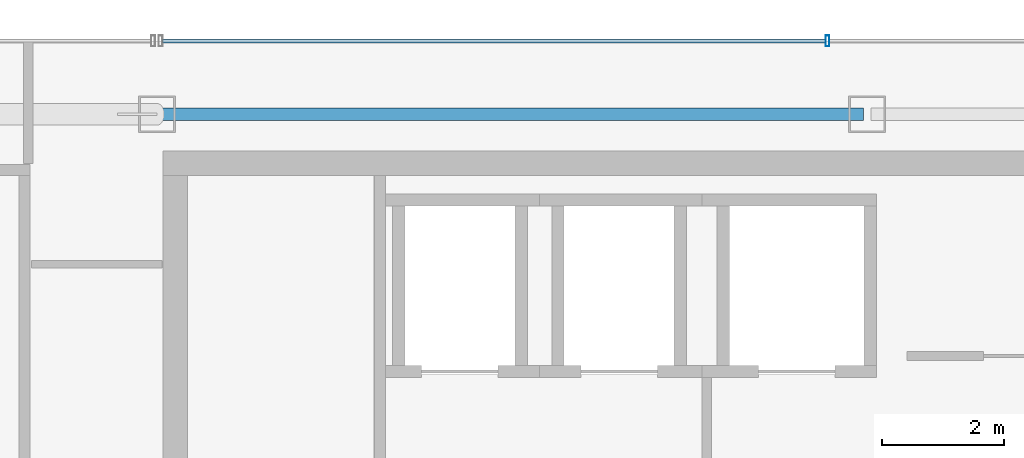
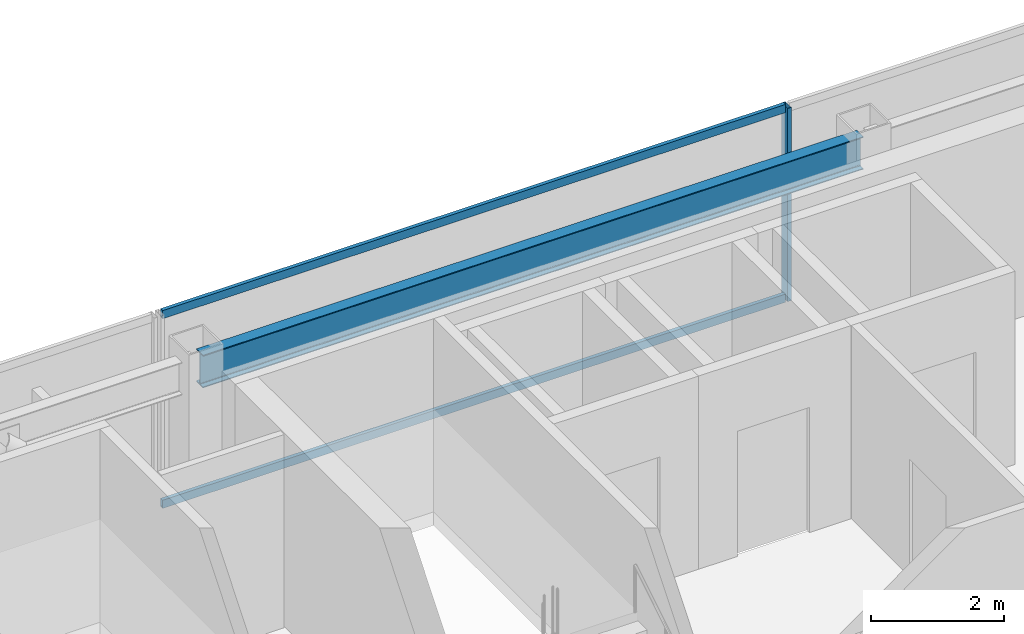
# One storey, part 21 of 32: 3 members, 1 beam, 1 element without a shape of its own.
"""IFC4 building model written with IfcOpenShell, lengths in metres."""

from ifc_helpers import new_model, si_unit, direction, frame, origin, origin_2d, place, context, subcontext, project, spatial, hollow_rectangle, i_section, extrude, material, material_profile, profile_set, type_object, element, aggregate, save


model = new_model("IFC4")

# Units and contexts
model_context = context("Model", 3, precision=1e-05, world=origin(), true_north=direction((0.0, 1.0)))
body_context = subcontext(model_context, "Body", "Model", "MODEL_VIEW")
ifc_project = project(units=[si_unit("LENGTHUNIT", "METRE"), si_unit("AREAUNIT", "SQUARE_METRE"), si_unit("VOLUMEUNIT", "CUBIC_METRE"), si_unit("PLANEANGLEUNIT", "RADIAN"), si_unit("MASSUNIT", "GRAM", prefix="KILO")], contexts=[model_context])

# Site, building, storey
site_placement = place(None, origin())
site = spatial("IfcSite", under=ifc_project, at=site_placement, CompositionType="ELEMENT")
building_placement = place(site_placement, origin())
building = spatial("IfcBuilding", under=site, at=building_placement, Name="Saevonmaru Cultural Tower", CompositionType="ELEMENT")
storey_placement = place(building_placement, frame((0.0, 0.0, 268.60009765625)))
storey = spatial("IfcBuildingStorey", under=building, at=storey_placement, Name="L63", CompositionType="ELEMENT", Elevation=268.60009765625)

# Beam
ifc_material_1 = material(Name="Steel SM355", Category="steel")
ifc_material_profile_1 = material_profile(ifc_material_1, i_section(OverallWidth=0.199951171875, OverallDepth=0.60009765625, WebThickness=0.010986328125, FlangeThickness=0.01708984375, FilletRadius=0.02197265625, at=origin_2d()), Name="H-600x200x11x17")
ifc_profile_set_1 = profile_set([ifc_material_profile_1], Name="Steel SM355")
beam_type = type_object("IfcBeamType", Name="BM-SP-H600", PredefinedType="SPANDREL", material=ifc_profile_set_1)
beam_placement = place(storey_placement, frame((13.659912109375, 54.800048828125, 3.25), z_axis=(1.0, 0.0, 0.0), x_axis=(0.0, 1.0, 0.0)))
element("IfcBeam", 1, at=beam_placement, inside=storey, type_object=beam_type, Name="L63 North Spine Girder 2", PredefinedType="SPANDREL", context=body_context, shape_type="SweptSolid", body=[
    extrude(i_section(OverallWidth=0.199951171875, OverallDepth=0.60009765625, WebThickness=0.010986328125, FlangeThickness=0.01708984375, FilletRadius=0.02197265625, at=origin_2d()), origin(), (0.0, 0.0, 1.0), 11.47998046875),
])

# Curtain wall, members
ifc_material_2 = material(Name="Satin Bronze Anodised Aluminium", Category="aluminium")
curtain_wall_type = type_object("IfcCurtainWallType", Name="CW-TYP-B", PredefinedType="NOTDEFINED", material=ifc_material_2)
curtain_wall_placement = place(storey_placement, origin())
curtain_wall = element("IfcCurtainWall", 2, at=curtain_wall_placement, inside=storey, type_object=curtain_wall_type, Name="L63 North Spine Unitised Curtain Wall E10B", PredefinedType="NOTDEFINED")
ifc_material_profile_2 = material_profile(ifc_material_2, hollow_rectangle(XDim=0.06494140625, YDim=0.179931640625, WallThickness=0.00390625, at=origin_2d()), Name="ALU-MULL-180x65x4")
ifc_profile_set_2 = profile_set([ifc_material_profile_2], Name="Satin Bronze Anodised Aluminium")
member_type_1 = type_object("IfcMemberType", Name="ML-CW-180x65", PredefinedType="MULLION", material=ifc_profile_set_2)
member_1_placement = place(storey_placement, frame((24.55322265625, 56.0, 0.0), z_axis=(0.0, 0.0, 1.0), x_axis=(-1.0, 0.0, 0.0)))
member_1 = element("IfcMember", 3, at=member_1_placement, type_object=member_type_1, Name="CW-TW-L63-E10B mullion 3", PredefinedType="MULLION", context=body_context, shape_type="SweptSolid", body=[
    extrude(hollow_rectangle(XDim=0.06494140625, YDim=0.179931640625, WallThickness=0.00390625, at=origin_2d()), origin(), (0.0, 0.0, 1.0), 3.5498046875),
])
ifc_material_profile_3 = material_profile(ifc_material_2, hollow_rectangle(XDim=0.06494140625, YDim=0.14990234375, WallThickness=0.00390625, at=origin_2d()), Name="ALU-TRAN-150x65x4")
ifc_profile_set_3 = profile_set([ifc_material_profile_3], Name="Satin Bronze Anodised Aluminium")
member_type_2 = type_object("IfcMemberType", Name="TR-CW-150x65", PredefinedType="USERDEFINED", material=ifc_profile_set_3)
member_2_placement = place(storey_placement, frame((24.520751953125, 56.0, 0.032470703125), z_axis=(-1.0, 0.0, 0.0), x_axis=(0.0, -1.0, 0.0)))
member_2 = element("IfcMember", 4, at=member_2_placement, type_object=member_type_2, Name="CW-TW-L63-E10B transom 3.1", ObjectType="TRANSOM", PredefinedType="USERDEFINED", context=body_context, shape_type="SweptSolid", body=[
    extrude(hollow_rectangle(XDim=0.06494140625, YDim=0.14990234375, WallThickness=0.00390625, at=origin_2d()), origin(), (0.0, 0.0, 1.0), 10.828369140625),
])
member_3_placement = place(storey_placement, frame((24.520751953125, 56.0, 3.517333984375), z_axis=(-1.0, 0.0, 0.0), x_axis=(0.0, -1.0, 0.0)))
member_3 = element("IfcMember", 5, at=member_3_placement, type_object=member_type_2, Name="CW-TW-L63-E10B transom 3.2", ObjectType="TRANSOM", PredefinedType="USERDEFINED", context=body_context, shape_type="SweptSolid", body=[
    extrude(hollow_rectangle(XDim=0.06494140625, YDim=0.14990234375, WallThickness=0.00390625, at=origin_2d()), origin(), (0.0, 0.0, 1.0), 10.828369140625),
])
aggregate(curtain_wall, [member_1, member_2, member_3])

save(model, "model.ifc")
